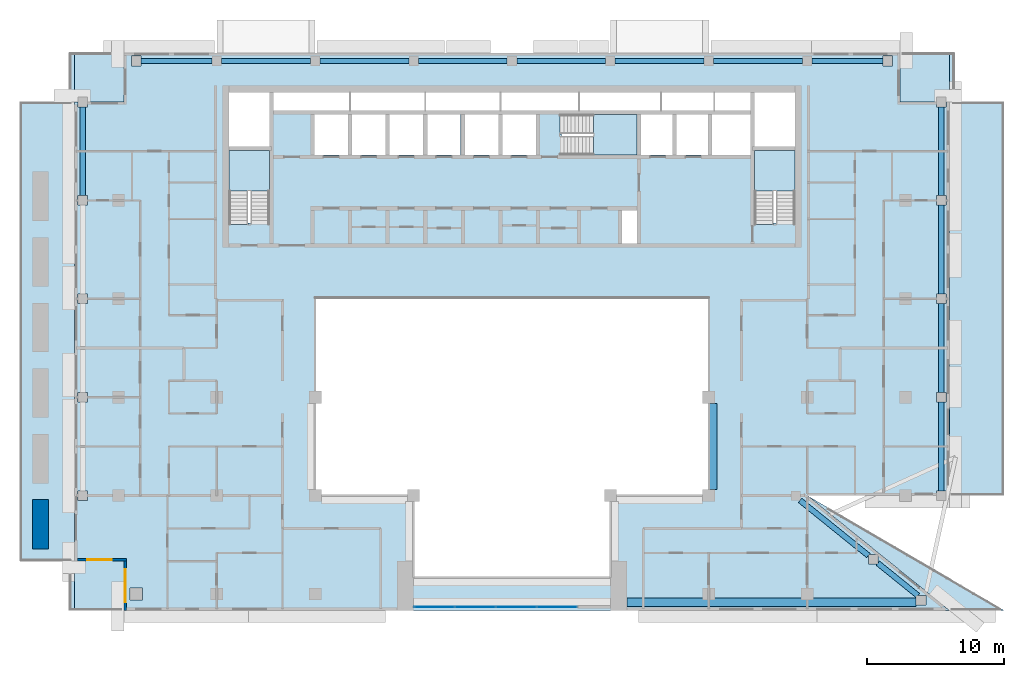
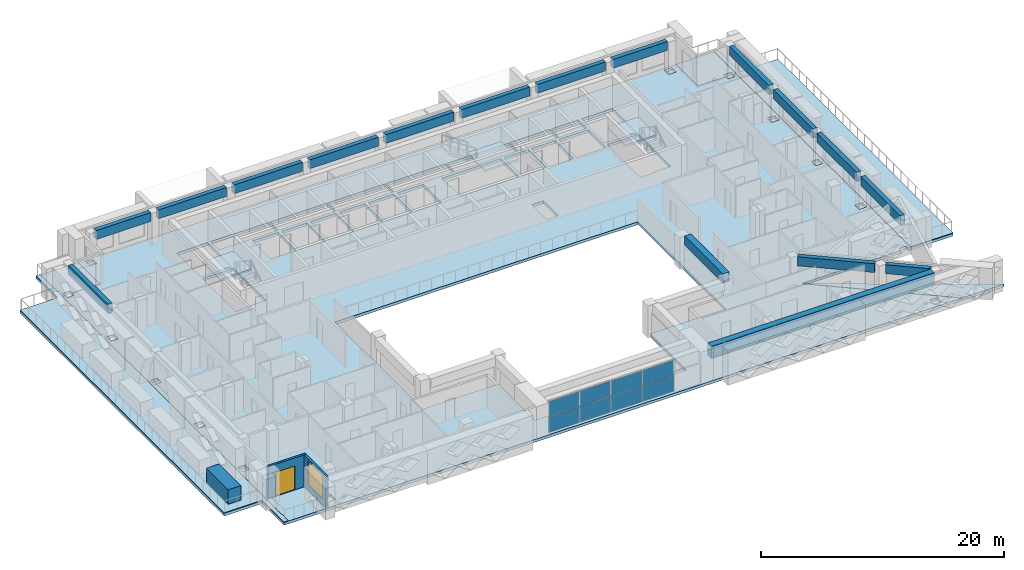
# One storey, part 5 of 19: 17 beams, 9 slabs, 8 plates, 3 walls, 1 door, 1 window, 2 openings, 4 elements without a shape of their own.
"""IFC4 building model written with IfcOpenShell, lengths in metres."""

from ifc_helpers import new_model, si_unit, direction, frame, frame_2d, origin, origin_2d, place, context, subcontext, project, spatial, polyline, rectangle, outline, extrude, source, transform, mapped, material, layer, layer_set, material_profile, profile_set, type_object, element, fill, aggregate, save


model = new_model("IFC4")

# Units and contexts
model_context = context("Model", 3, precision=1e-05, world=origin(), true_north=direction((0.0, 1.0)))
body_context = subcontext(model_context, "Body", "Model", "MODEL_VIEW")
ifc_project = project(units=[si_unit("LENGTHUNIT", "METRE"), si_unit("AREAUNIT", "SQUARE_METRE"), si_unit("VOLUMEUNIT", "CUBIC_METRE"), si_unit("PLANEANGLEUNIT", "RADIAN"), si_unit("MASSUNIT", "GRAM", prefix="KILO")], contexts=[model_context])

# Site, building, storey
site_placement = place(None, origin())
site = spatial("IfcSite", under=ifc_project, at=site_placement, CompositionType="ELEMENT")
building_placement = place(site_placement, origin())
building = spatial("IfcBuilding", under=site, at=building_placement, Name="Saffron Iwan Residences", CompositionType="ELEMENT")
storey_placement = place(building_placement, frame((0.0, 0.0, 211.5)))
storey = spatial("IfcBuildingStorey", under=building, at=storey_placement, Name="L56", CompositionType="ELEMENT", Elevation=211.5)

# Beams
ifc_material_1 = material(Name="Concrete C40/50", Category="concrete")
ifc_material_profile_1 = material_profile(ifc_material_1, rectangle(XDim=0.39990234375, YDim=0.89990234375, at=origin_2d()), Name="RC 400x900")
ifc_profile_set_1 = profile_set([ifc_material_profile_1], Name="Concrete C40/50")
beam_type_1 = type_object("IfcBeamType", Name="SPANDREL BEAM RC 400x900 C40/50 TOP 3220", PredefinedType="SPANDREL", material=ifc_profile_set_1)
shared_shape_1 = source(origin(), body_context, "Body", "SweptSolid", [
    extrude(rectangle(XDim=0.39990234375, YDim=0.89990234375, at=origin_2d()), origin(), (0.0, 0.0, 1.0), 3.767578125),
])
beam_1_placement = place(storey_placement, frame((77.173095703125, 43.050537109375, 2.77001953125), z_axis=(0.777920469401, -0.62836274817, 0.0), x_axis=(0.62836274817, 0.777920469401, 0.0)))
element("IfcBeam", 1, at=beam_1_placement, inside=storey, type_object=beam_type_1, Name="Spandrel beam", PredefinedType="SPANDREL", context=body_context, shape_type="MappedRepresentation", body=[
    mapped(shared_shape_1, transform((0.0, 0.0, 0.0))),
])
shared_shape_2 = source(origin(), body_context, "Body", "SweptSolid", [
    extrude(rectangle(XDim=0.39990234375, YDim=0.89990234375, at=origin_2d()), origin(), (0.0, 0.0, 1.0), 6.419921875),
])
beam_2_placement = place(storey_placement, frame((71.478515625, 47.64990234375, 2.77001953125), z_axis=(0.777940465262, -0.628337992253, 0.0), x_axis=(0.628337992253, 0.777940465262, 0.0)))
element("IfcBeam", 2, at=beam_2_placement, inside=storey, type_object=beam_type_1, Name="Spandrel beam", PredefinedType="SPANDREL", context=body_context, shape_type="MappedRepresentation", body=[
    mapped(shared_shape_2, transform((0.0, 0.0, 0.0))),
])
shared_shape_3 = source(origin(), body_context, "Body", "SweptSolid", [
    extrude(rectangle(XDim=0.39990234375, YDim=0.89990234375, at=origin_2d()), origin(), (0.0, 0.0, 1.0), 6.5),
])
for number, where, z_axis, x_axis, name in (
    (3, (81.800048828125, 54.85009765625, 2.77001953125), (0.0, -1.0, 0.0), (1.0, 0.0, 0.0), "Spandrel beam"),
    (4, (81.800048828125, 62.050048828125, 2.77001953125), (0.0, -1.0, 0.0), (1.0, 0.0, 0.0), "Spandrel beam"),
    (5, (81.800048828125, 69.25, 2.77001953125), (0.0, -1.0, 0.0), (1.0, 0.0, 0.0), "Spandrel beam"),
    (6, (19.0, 69.949951171875, 2.77001953125), (0.0, 1.0, 0.0), (-1.0, 0.0, 0.0), "Spandrel beam"),
    (7, (81.800048828125, 76.449951171875, 2.77001953125), (0.0, -1.0, 0.0), (1.0, 0.0, 0.0), "Spandrel beam"),
    (8, (29.14990234375, 79.800048828125, 2.77001953125), (1.0, 0.0, 0.0), (0.0, 1.0, 0.0), "Spandrel beam"),
    (9, (36.35009765625, 79.800048828125, 2.77001953125), (1.0, 0.0, 0.0), (0.0, 1.0, 0.0), "Spandrel beam"),
    (10, (43.550048828125, 79.800048828125, 2.77001953125), (1.0, 0.0, 0.0), (0.0, 1.0, 0.0), "Spandrel beam"),
    (11, (50.75, 79.800048828125, 2.77001953125), (1.0, 0.0, 0.0), (0.0, 1.0, 0.0), "Spandrel beam"),
    (12, (57.949951171875, 79.800048828125, 2.77001953125), (1.0, 0.0, 0.0), (0.0, 1.0, 0.0), "Spandrel beam"),
    (13, (65.14990234375, 79.800048828125, 2.77001953125), (1.0, 0.0, 0.0), (0.0, 1.0, 0.0), "Spandrel beam"),
):
    element("IfcBeam", number, at=place(storey_placement, frame(where, z_axis=z_axis, x_axis=x_axis)), inside=storey, type_object=beam_type_1, Name=name, PredefinedType="SPANDREL", context=body_context, shape_type="MappedRepresentation", body=[
        mapped(shared_shape_3, transform((0.0, 0.0, 0.0))),
    ])
shared_shape_4 = source(origin(), body_context, "Body", "SweptSolid", [
    extrude(rectangle(XDim=0.39990234375, YDim=0.89990234375, at=origin_2d()), origin(), (0.0, 0.0, 1.0), 5.199951171875),
])
for number, where, z_axis, x_axis, name in (
    (14, (23.25, 79.800048828125, 2.77001953125), (1.0, 0.0, 0.0), (0.0, 1.0, 0.0), "Spandrel beam"),
    (15, (72.35009765625, 79.800048828125, 2.77001953125), (1.0, 0.0, 0.0), (0.0, 1.0, 0.0), "Spandrel beam"),
):
    element("IfcBeam", number, at=place(storey_placement, frame(where, z_axis=z_axis, x_axis=x_axis)), inside=storey, type_object=beam_type_1, Name=name, PredefinedType="SPANDREL", context=body_context, shape_type="MappedRepresentation", body=[
        mapped(shared_shape_4, transform((0.0, 0.0, 0.0))),
    ])
ifc_material_profile_2 = material_profile(ifc_material_1, rectangle(XDim=0.60009765625, YDim=1.199951171875, at=origin_2d()), Name="RC 600x1200")
ifc_profile_set_2 = profile_set([ifc_material_profile_2], Name="Concrete C40/50")
beam_type_2 = type_object("IfcBeamType", Name="LINTEL BEAM RC 600x1200 C40/50 TOP 3220", PredefinedType="LINTEL", material=ifc_profile_set_2)
shared_shape_5 = source(origin(), body_context, "Body", "SweptSolid", [
    extrude(rectangle(XDim=0.60009765625, YDim=1.199951171875, at=origin_2d()), origin(), (0.0, 0.0, 1.0), 21.175537109375),
])
beam_3_placement = place(storey_placement, frame((79.9755859375, 40.199951171875, 2.6201171875), z_axis=(-1.0, 0.0, 0.0), x_axis=(0.0, -1.0, 0.0)))
element("IfcBeam", 16, at=beam_3_placement, inside=storey, type_object=beam_type_2, Name="Lintel beam over the iwan", PredefinedType="LINTEL", context=body_context, shape_type="MappedRepresentation", body=[
    mapped(shared_shape_5, transform((0.0, 0.0, 0.0))),
])
ifc_material_profile_3 = material_profile(ifc_material_1, rectangle(XDim=0.60009765625, YDim=0.89990234375, at=origin_2d()), Name="RC 600x900")
ifc_profile_set_3 = profile_set([ifc_material_profile_3], Name="Concrete C40/50")
beam_type_3 = type_object("IfcBeamType", Name="BEAM RC 600x900 C40/50 TOP 3220", PredefinedType="BEAM", material=ifc_profile_set_3)
shared_shape_6 = source(origin(), body_context, "Body", "SweptSolid", [
    extrude(rectangle(XDim=0.60009765625, YDim=0.89990234375, at=origin_2d()), origin(), (0.0, 0.0, 1.0), 6.300048828125),
])
beam_4_placement = place(storey_placement, frame((65.10009765625, 54.75, 2.77001953125), z_axis=(0.0, -1.0, 0.0), x_axis=(1.0, 0.0, 0.0)))
element("IfcBeam", 17, at=beam_4_placement, inside=storey, type_object=beam_type_3, Name="Atrium edge beam", PredefinedType="BEAM", context=body_context, shape_type="MappedRepresentation", body=[
    mapped(shared_shape_6, transform((0.0, 0.0, 0.0))),
])

# Slabs
ifc_layer_1 = layer(ifc_material_1, 0.280029296875)
ifc_layer_set_1 = layer_set([ifc_layer_1], Name="Concrete C40/50")
slab_type_1 = type_object("IfcSlabType", Name="PT PLATE 280 C40/50", PredefinedType="FLOOR", material=ifc_layer_set_1)
slab_1_placement = place(storey_placement, frame((0.0, 0.0, -0.280029296875)))
element("IfcSlab", 18, at=slab_1_placement, inside=storey, type_object=slab_type_1, Name="Floor slab L56", PredefinedType="FLOOR", context=body_context, shape_type="SweptSolid", body=[
    extrude(outline(polyline([(18.39990234375, 43.199951171875), (18.39990234375, 76.800048828125), (18.64990234375, 76.800048828125), (18.64990234375, 76.449951171875), (19.35009765625, 76.449951171875), (19.35009765625, 76.800048828125), (22.0, 76.800048828125), (22.0, 80.39990234375), (78.800048828125, 80.39990234375), (78.800048828125, 76.800048828125), (81.449951171875, 76.800048828125), (81.449951171875, 76.449951171875), (82.14990234375, 76.449951171875), (82.14990234375, 76.800048828125), (82.39990234375, 76.800048828125), (82.39990234375, 48.0), (82.14990234375, 48.0), (82.14990234375, 48.35009765625), (81.449951171875, 48.35009765625), (81.449951171875, 48.0), (72.0, 48.0), (82.39990234375, 39.60009765625), (22.0, 39.60009765625), (22.0, 43.199951171875), (18.39990234375, 43.199951171875)]), holes=[polyline([(64.800048828125, 48.0), (64.800048828125, 62.39990234375), (36.0, 62.39990234375), (36.0, 48.0), (43.199951171875, 48.0), (43.199951171875, 42.0), (57.60009765625, 42.0), (57.60009765625, 48.0), (64.800048828125, 48.0)]), polyline([(23.35009765625, 40.35009765625), (23.35009765625, 41.25), (22.449951171875, 41.25), (22.449951171875, 40.35009765625), (23.35009765625, 40.35009765625)]), polyline([(19.35009765625, 47.64990234375), (19.35009765625, 48.35009765625), (18.64990234375, 48.35009765625), (18.64990234375, 47.64990234375), (19.35009765625, 47.64990234375)]), polyline([(19.35009765625, 54.85009765625), (19.35009765625, 55.550048828125), (18.64990234375, 55.550048828125), (18.64990234375, 54.85009765625), (19.35009765625, 54.85009765625)]), polyline([(19.35009765625, 62.050048828125), (19.35009765625, 62.75), (18.64990234375, 62.75), (18.64990234375, 62.050048828125), (19.35009765625, 62.050048828125)]), polyline([(19.35009765625, 69.25), (19.35009765625, 69.949951171875), (18.64990234375, 69.949951171875), (18.64990234375, 69.25), (19.35009765625, 69.25)]), polyline([(32.64990234375, 73.25), (29.699951171875, 73.25), (29.699951171875, 67.949951171875), (29.699951171875, 67.8505859375), (31.10009765625, 67.8505859375), (31.10009765625, 67.949951171875), (32.64990234375, 67.949951171875), (32.64990234375, 73.25)]), polyline([(52.14990234375, 72.925048828125), (52.14990234375, 75.875), (49.699951171875, 75.875), (49.699951171875, 72.925048828125), (52.14990234375, 72.925048828125)]), polyline([(35.949951171875, 72.925048828125), (38.39990234375, 72.925048828125), (38.39990234375, 75.875), (35.949951171875, 75.875), (35.949951171875, 72.925048828125)]), polyline([(38.699951171875, 72.925048828125), (41.14990234375, 72.925048828125), (41.14990234375, 75.875), (38.699951171875, 75.875), (38.699951171875, 72.925048828125)]), polyline([(49.39990234375, 72.925048828125), (49.39990234375, 75.875), (46.949951171875, 75.875), (46.949951171875, 72.925048828125), (49.39990234375, 72.925048828125)]), polyline([(43.89990234375, 72.925048828125), (43.89990234375, 75.875), (41.449951171875, 75.875), (41.449951171875, 72.925048828125), (43.89990234375, 72.925048828125)]), polyline([(46.64990234375, 72.925048828125), (46.64990234375, 75.875), (44.199951171875, 75.875), (44.199951171875, 72.925048828125), (46.64990234375, 72.925048828125)]), polyline([(32.64990234375, 73.550048828125), (32.64990234375, 77.5), (29.699951171875, 77.5), (29.699951171875, 73.550048828125), (32.64990234375, 73.550048828125)]), polyline([(55.25, 76.175048828125), (55.25, 77.5), (49.60009765625, 77.5), (49.60009765625, 76.175048828125), (55.25, 76.175048828125)]), polyline([(49.5, 76.175048828125), (49.5, 77.5), (44.10009765625, 77.5), (44.10009765625, 76.175048828125), (49.5, 76.175048828125)]), polyline([(38.60009765625, 76.175048828125), (44.0, 76.175048828125), (44.0, 77.5), (38.60009765625, 77.5), (38.60009765625, 76.175048828125)]), polyline([(32.949951171875, 76.175048828125), (38.5, 76.175048828125), (38.5, 77.5), (32.949951171875, 77.5), (32.949951171875, 76.175048828125)]), polyline([(23.25, 79.449951171875), (23.25, 80.14990234375), (22.550048828125, 80.14990234375), (22.550048828125, 79.449951171875), (23.25, 79.449951171875)]), polyline([(80.67578125, 39.983154296875), (80.67578125, 40.68310546875), (79.9755859375, 40.68310546875), (79.9755859375, 39.983154296875), (80.67578125, 39.983154296875)]), polyline([(77.173095703125, 42.983154296875), (77.173095703125, 43.68310546875), (76.472900390625, 43.68310546875), (76.472900390625, 42.983154296875), (77.173095703125, 42.983154296875)]), polyline([(82.14990234375, 54.85009765625), (82.14990234375, 55.550048828125), (81.449951171875, 55.550048828125), (81.449951171875, 54.85009765625), (82.14990234375, 54.85009765625)]), polyline([(82.14990234375, 62.050048828125), (82.14990234375, 62.75), (81.449951171875, 62.75), (81.449951171875, 62.050048828125), (82.14990234375, 62.050048828125)]), polyline([(59.550048828125, 66.449951171875), (59.550048828125, 68.875), (58.449951171875, 68.875), (58.449951171875, 66.449951171875), (59.550048828125, 66.449951171875)]), polyline([(81.449951171875, 69.25), (82.14990234375, 69.25), (82.14990234375, 69.949951171875), (81.449951171875, 69.949951171875), (81.449951171875, 69.25)]), polyline([(71.10009765625, 67.949951171875), (71.10009765625, 73.25), (68.14990234375, 73.25), (68.14990234375, 67.949951171875), (68.14990234375, 67.8505859375), (69.550048828125, 67.8505859375), (69.550048828125, 67.949951171875), (71.10009765625, 67.949951171875)]), polyline([(53.925537109375, 74.47509765625), (54.02490234375, 74.47509765625), (54.02490234375, 72.925048828125), (59.550048828125, 72.925048828125), (59.550048828125, 75.875), (54.02490234375, 75.875), (53.925537109375, 75.875), (53.925537109375, 74.47509765625)]), polyline([(62.14990234375, 72.925048828125), (62.14990234375, 75.875), (59.85009765625, 75.875), (59.85009765625, 72.925048828125), (62.14990234375, 72.925048828125)]), polyline([(64.75, 72.925048828125), (64.75, 75.875), (62.449951171875, 75.875), (62.449951171875, 72.925048828125), (64.75, 72.925048828125)]), polyline([(65.050048828125, 72.925048828125), (67.85009765625, 72.925048828125), (67.85009765625, 75.875), (65.050048828125, 75.875), (65.050048828125, 72.925048828125)]), polyline([(68.14990234375, 73.550048828125), (71.10009765625, 73.550048828125), (71.10009765625, 77.5), (68.14990234375, 77.5), (68.14990234375, 73.550048828125)]), polyline([(67.85009765625, 76.175048828125), (67.85009765625, 77.5), (65.25, 77.5), (65.25, 76.175048828125), (67.85009765625, 76.175048828125)]), polyline([(65.14990234375, 76.175048828125), (65.14990234375, 77.5), (61.35009765625, 77.5), (61.35009765625, 76.175048828125), (65.14990234375, 76.175048828125)]), polyline([(55.35009765625, 76.175048828125), (61.25, 76.175048828125), (61.25, 77.5), (55.35009765625, 77.5), (55.35009765625, 76.175048828125)]), polyline([(77.550048828125, 79.449951171875), (78.25, 79.449951171875), (78.25, 80.14990234375), (77.550048828125, 80.14990234375), (77.550048828125, 79.449951171875)])]), origin(), (0.0, 0.0, 1.0), 0.280029296875),
])
ifc_layer_2 = layer(ifc_material_1, 0.280029296875)
ifc_layer_set_2 = layer_set([ifc_layer_2], Name="Concrete C40/50")
slab_type_2 = type_object("IfcSlabType", Name="PT TERRACE PLATE 280 C40/50", PredefinedType="FLOOR", material=ifc_layer_set_2)
slab_2_placement = place(storey_placement, frame((0.0, 0.0, -0.280029296875)))
element("IfcSlab", 19, at=slab_2_placement, inside=storey, type_object=slab_type_2, Name="Terrace slab L56", PredefinedType="FLOOR", context=body_context, shape_type="SweptSolid", body=[
    extrude(outline(polyline([(14.39990234375, 76.800048828125), (18.0, 76.800048828125), (18.0, 80.39990234375), (22.0, 80.39990234375), (22.0, 76.800048828125), (19.35009765625, 76.800048828125), (19.35009765625, 77.14990234375), (18.64990234375, 77.14990234375), (18.64990234375, 76.800048828125), (18.39990234375, 76.800048828125), (18.39990234375, 43.199951171875), (22.0, 43.199951171875), (22.0, 39.60009765625), (18.0, 39.60009765625), (18.0, 43.199951171875), (14.39990234375, 43.199951171875), (14.39990234375, 76.800048828125)])), origin(), (0.0, 0.0, 1.0), 0.280029296875),
])
slab_3_placement = place(storey_placement, frame((0.0, 0.0, -0.280029296875)))
element("IfcSlab", 20, at=slab_3_placement, inside=storey, type_object=slab_type_2, Name="Terrace slab L56", PredefinedType="FLOOR", context=body_context, shape_type="SweptSolid", body=[
    extrude(outline(polyline([(86.39990234375, 39.60009765625), (82.407958984375, 39.60009765625), (72.028564453125, 47.9833984375), (86.39990234375, 39.60009765625)])), origin(), (0.0, 0.0, 1.0), 0.280029296875),
])
slab_4_placement = place(storey_placement, frame((0.0, 0.0, -0.280029296875)))
element("IfcSlab", 21, at=slab_4_placement, inside=storey, type_object=slab_type_2, Name="Terrace slab L56", PredefinedType="FLOOR", context=body_context, shape_type="SweptSolid", body=[
    extrude(outline(polyline([(86.39990234375, 48.0), (82.39990234375, 48.0), (82.39990234375, 76.800048828125), (82.14990234375, 76.800048828125), (82.14990234375, 77.14990234375), (81.449951171875, 77.14990234375), (81.449951171875, 76.800048828125), (78.800048828125, 76.800048828125), (78.800048828125, 80.39990234375), (82.800048828125, 80.39990234375), (82.800048828125, 76.800048828125), (86.39990234375, 76.800048828125), (86.39990234375, 48.0)])), origin(), (0.0, 0.0, 1.0), 0.280029296875),
])

# Stair, slab
ifc_material_2 = material(Name="Concrete C50/60", Category="concrete")
stair_type = type_object("IfcStairType", Name="Stair ST-CORE", PredefinedType="HALF_TURN_STAIR", material=ifc_material_2)
stair_1_placement = place(storey_placement, origin())
stair_1 = element("IfcStair", 22, at=stair_1_placement, inside=storey, type_object=stair_type, Name="L56 Exit Stair ST-W", PredefinedType="HALF_TURN_STAIR")
ifc_layer_3 = layer(ifc_material_2, 0.199951171875)
ifc_layer_set_3 = layer_set([ifc_layer_3], Name="Concrete C50/60")
slab_type_3 = type_object("IfcSlabType", Name="Stair landing SL-RC", PredefinedType="LANDING", material=ifc_layer_set_3)
slab_5_placement = place(storey_placement, frame((0.0, 0.0, 1.5498046875)))
slab_5 = element("IfcSlab", 23, at=slab_5_placement, type_object=slab_type_3, Name="ST-W landing 1", PredefinedType="LANDING", context=body_context, shape_type="SweptSolid", body=[
    extrude(outline(polyline([(32.64990234375, 70.280029296875), (32.64990234375, 73.25), (29.699951171875, 73.25), (29.699951171875, 70.280029296875), (32.64990234375, 70.280029296875)])), origin(), (0.0, 0.0, 1.0), 0.2001953125),
])
aggregate(stair_1, [slab_5])

stair_2_placement = place(storey_placement, origin())
stair_2 = element("IfcStair", 24, at=stair_2_placement, inside=storey, type_object=stair_type, Name="L56 Exit Stair ST-C", PredefinedType="HALF_TURN_STAIR")
slab_6_placement = place(storey_placement, frame((0.0, 0.0, 1.5498046875)))
slab_6 = element("IfcSlab", 25, at=slab_6_placement, type_object=slab_type_3, Name="ST-C landing 1", PredefinedType="LANDING", context=body_context, shape_type="SweptSolid", body=[
    extrude(outline(polyline([(56.35498046875, 72.925048828125), (59.550048828125, 72.925048828125), (59.550048828125, 75.875), (56.35498046875, 75.875), (56.35498046875, 72.925048828125)])), origin(), (0.0, 0.0, 1.0), 0.2001953125),
])
aggregate(stair_2, [slab_6])

stair_3_placement = place(storey_placement, origin())
stair_3 = element("IfcStair", 26, at=stair_3_placement, inside=storey, type_object=stair_type, Name="L56 Exit Stair ST-E", PredefinedType="HALF_TURN_STAIR")
slab_7_placement = place(storey_placement, frame((0.0, 0.0, 1.5498046875)))
slab_7 = element("IfcSlab", 27, at=slab_7_placement, type_object=slab_type_3, Name="ST-E landing 1", PredefinedType="LANDING", context=body_context, shape_type="SweptSolid", body=[
    extrude(outline(polyline([(71.10009765625, 70.280029296875), (71.10009765625, 73.25), (68.14990234375, 73.25), (68.14990234375, 70.280029296875), (71.10009765625, 70.280029296875)])), origin(), (0.0, 0.0, 1.0), 0.2001953125),
])
aggregate(stair_3, [slab_7])

# Slabs
ifc_material_3 = material(Name="Stone paving", Category="masonry")
ifc_layer_4 = layer(ifc_material_3, 0.050048828125)
ifc_layer_set_4 = layer_set([ifc_layer_4], Name="Stone paving")
slab_type_4 = type_object("IfcSlabType", Name="TERRACE PAVING 50", PredefinedType="USERDEFINED", material=ifc_layer_set_4)
slab_8_placement = place(storey_placement, origin())
element("IfcSlab", 28, at=slab_8_placement, inside=storey, type_object=slab_type_4, Name="Terrace paving L56 W1", ObjectType="PAVING", PredefinedType="USERDEFINED", context=body_context, shape_type="SweptSolid", body=[
    extrude(outline(polyline([(18.0, 43.199951171875), (18.0, 39.60009765625), (18.39990234375, 39.60009765625), (18.39990234375, 43.199951171875), (18.39990234375, 76.800048828125), (18.39990234375, 80.39990234375), (18.0, 80.39990234375), (18.0, 76.800048828125), (14.39990234375, 76.800048828125), (14.39990234375, 43.199951171875), (18.0, 43.199951171875)])), origin(), (0.0, 0.0, 1.0), 0.050048828125),
])
slab_9_placement = place(storey_placement, origin())
element("IfcSlab", 29, at=slab_9_placement, inside=storey, type_object=slab_type_4, Name="Terrace paving L56 E2", ObjectType="PAVING", PredefinedType="USERDEFINED", context=body_context, shape_type="SweptSolid", body=[
    extrude(outline(polyline([(82.800048828125, 80.39990234375), (82.39990234375, 80.39990234375), (82.39990234375, 76.800048828125), (82.39990234375, 48.0), (86.39990234375, 48.0), (86.39990234375, 76.800048828125), (82.800048828125, 76.800048828125), (82.800048828125, 80.39990234375)])), origin(), (0.0, 0.0, 1.0), 0.050048828125),
])

# Curtain wall, plates
ifc_material_4 = material(Name="Clear glass, laminated double glazed", Category="glass")
ifc_layer_5 = layer(ifc_material_4, 0.199951171875)
ifc_layer_set_5 = layer_set([ifc_layer_5], Name="Clear glass, laminated double glazed")
curtain_wall_type = type_object("IfcCurtainWallType", Name="CW-B IWAN PORTAL", PredefinedType="NOTDEFINED", material=ifc_layer_set_5)
curtain_wall_placement = place(storey_placement, origin())
curtain_wall = element("IfcCurtainWall", 30, at=curtain_wall_placement, inside=storey, type_object=curtain_wall_type, Name="Iwan portal glazing L56.1", PredefinedType="NOTDEFINED")
ifc_layer_6 = layer(ifc_material_4, 0.028076171875)
ifc_layer_set_6 = layer_set([ifc_layer_6], Name="Clear glass, laminated double glazed")
plate_type = type_object("IfcPlateType", Name="CW-B PANEL 28", PredefinedType="CURTAIN_PANEL", material=ifc_layer_set_6)
shared_shape_7 = source(origin(), body_context, "Body", "SweptSolid", [
    extrude(rectangle(XDim=2.909912109375, YDim=0.028076171875, at=origin_2d()), origin(), (0.0, 0.0, 1.0), 1.52001953125),
])
plate_1_placement = place(storey_placement, frame((44.715087890625, 39.85009765625, 0.06005859375), z_axis=(0.0, 0.0, 1.0), x_axis=(1.0, 0.0, 0.0)))
plate_1 = element("IfcPlate", 31, at=plate_1_placement, type_object=plate_type, Name="CW-B panel 1.1", PredefinedType="CURTAIN_PANEL", context=body_context, shape_type="MappedRepresentation", body=[
    mapped(shared_shape_7, transform((0.0, 0.0, 0.0))),
])
plate_2_placement = place(storey_placement, frame((44.715087890625, 39.85009765625, 1.639892578125), z_axis=(0.0, 0.0, 1.0), x_axis=(1.0, 0.0, 0.0)))
plate_2 = element("IfcPlate", 32, at=plate_2_placement, type_object=plate_type, Name="CW-B panel 1.2", PredefinedType="CURTAIN_PANEL", context=body_context, shape_type="MappedRepresentation", body=[
    mapped(shared_shape_7, transform((0.0, 0.0, 0.0))),
])
plate_3_placement = place(storey_placement, frame((53.68505859375, 39.85009765625, 0.06005859375), z_axis=(0.0, 0.0, 1.0), x_axis=(1.0, 0.0, 0.0)))
plate_3 = element("IfcPlate", 33, at=plate_3_placement, type_object=plate_type, Name="CW-B panel 4.1", PredefinedType="CURTAIN_PANEL", context=body_context, shape_type="MappedRepresentation", body=[
    mapped(shared_shape_7, transform((0.0, 0.0, 0.0))),
])
plate_4_placement = place(storey_placement, frame((53.68505859375, 39.85009765625, 1.639892578125), z_axis=(0.0, 0.0, 1.0), x_axis=(1.0, 0.0, 0.0)))
plate_4 = element("IfcPlate", 34, at=plate_4_placement, type_object=plate_type, Name="CW-B panel 4.2", PredefinedType="CURTAIN_PANEL", context=body_context, shape_type="MappedRepresentation", body=[
    mapped(shared_shape_7, transform((0.0, 0.0, 0.0))),
])
shared_shape_8 = source(origin(), body_context, "Body", "SweptSolid", [
    extrude(rectangle(XDim=2.93994140625, YDim=0.028076171875, at=origin_2d()), origin(), (0.0, 0.0, 1.0), 1.52001953125),
])
plate_5_placement = place(storey_placement, frame((47.699951171875, 39.85009765625, 0.06005859375), z_axis=(0.0, 0.0, 1.0), x_axis=(1.0, 0.0, 0.0)))
plate_5 = element("IfcPlate", 35, at=plate_5_placement, type_object=plate_type, Name="CW-B panel 2.1", PredefinedType="CURTAIN_PANEL", context=body_context, shape_type="MappedRepresentation", body=[
    mapped(shared_shape_8, transform((0.0, 0.0, 0.0))),
])
plate_6_placement = place(storey_placement, frame((47.699951171875, 39.85009765625, 1.639892578125), z_axis=(0.0, 0.0, 1.0), x_axis=(1.0, 0.0, 0.0)))
plate_6 = element("IfcPlate", 36, at=plate_6_placement, type_object=plate_type, Name="CW-B panel 2.2", PredefinedType="CURTAIN_PANEL", context=body_context, shape_type="MappedRepresentation", body=[
    mapped(shared_shape_8, transform((0.0, 0.0, 0.0))),
])
plate_7_placement = place(storey_placement, frame((50.699951171875, 39.85009765625, 0.06005859375), z_axis=(0.0, 0.0, 1.0), x_axis=(1.0, 0.0, 0.0)))
plate_7 = element("IfcPlate", 37, at=plate_7_placement, type_object=plate_type, Name="CW-B panel 3.1", PredefinedType="CURTAIN_PANEL", context=body_context, shape_type="MappedRepresentation", body=[
    mapped(shared_shape_8, transform((0.0, 0.0, 0.0))),
])
plate_8_placement = place(storey_placement, frame((50.699951171875, 39.85009765625, 1.639892578125), z_axis=(0.0, 0.0, 1.0), x_axis=(1.0, 0.0, 0.0)))
plate_8 = element("IfcPlate", 38, at=plate_8_placement, type_object=plate_type, Name="CW-B panel 3.2", PredefinedType="CURTAIN_PANEL", context=body_context, shape_type="MappedRepresentation", body=[
    mapped(shared_shape_8, transform((0.0, 0.0, 0.0))),
])
aggregate(curtain_wall, [plate_1, plate_2, plate_5, plate_6, plate_7, plate_8, plate_3, plate_4])

# Wall, opening, door
ifc_layer_7 = layer(ifc_material_1, 0.199951171875)
ifc_layer_set_7 = layer_set([ifc_layer_7], Name="Concrete C40/50")
wall_type_1 = type_object("IfcWallType", Name="EXTERNAL WALL 200", PredefinedType="SOLIDWALL", material=ifc_layer_set_7)
wall_1_placement = place(storey_placement, frame((18.60009765625, 43.300048828125, 0.0), z_axis=(0.0, 0.0, 1.0), x_axis=(1.0, 0.0, 0.0)))
wall_1 = element("IfcWall", 39, at=wall_1_placement, inside=storey, type_object=wall_type_1, Name="External wall L56 F9.0", PredefinedType="SOLIDWALL", context=body_context, shape_type="SweptSolid", body=[
    extrude(rectangle(XDim=3.599853515625, YDim=0.199951171875, at=frame_2d((1.7998046875, 0.0))), origin(), (0.0, 0.0, 1.0), 3.219970703125),
])
opening_1_placement = place(wall_1_placement, frame((0.72509765625, 0.0, 0.0)))
opening_1 = element("IfcOpeningElement", 40, at=opening_1_placement, cuts=wall_1, Name="Opening BD1", PredefinedType="OPENING", context=body_context, shape_type="SweptSolid", body=[
    extrude(rectangle(XDim=1.800048828125, YDim=2.39990234375, at=frame_2d((0.89990234375, 1.199951171875))), frame((0.0, 0.10986328125, 0.0), z_axis=(0.0, -1.0, 0.0), x_axis=(1.0, 0.0, 0.0)), (0.0, 0.0, 1.0), 0.219970703125),
])
door_type = type_object("IfcDoorType", Name="BALCONY DOOR 1800 x 2400", OperationType="DOUBLE_DOOR_SLIDING", PredefinedType="DOOR", material=ifc_material_4)
door_placement = place(opening_1_placement, origin())
door = element("IfcDoor", 41, at=door_placement, inside=storey, type_object=door_type, Name="Balcony door L56 F9.0", OperationType="DOUBLE_DOOR_SLIDING", OverallHeight=2.39990234375, OverallWidth=1.800048828125, PredefinedType="DOOR", context=body_context, shape_type="SweptSolid", body=[
    extrude(rectangle(XDim=1.800048828125, YDim=2.39990234375, at=frame_2d((0.89990234375, 1.199951171875))), frame((0.0, 0.02490234375, 0.0), z_axis=(0.0, -1.0, 0.0), x_axis=(1.0, 0.0, 0.0)), (0.0, 0.0, 1.0), 0.050048828125),
])
fill(opening_1, door)

# Wall, opening, window
wall_2_placement = place(storey_placement, frame((22.10009765625, 43.199951171875, 0.0), z_axis=(0.0, 0.0, 1.0), x_axis=(0.0, -1.0, 0.0)))
wall_2 = element("IfcWall", 42, at=wall_2_placement, inside=storey, type_object=wall_type_1, Name="External wall L56 F10.0", PredefinedType="SOLIDWALL", context=body_context, shape_type="SweptSolid", body=[
    extrude(rectangle(XDim=3.599853515625, YDim=0.199951171875, at=frame_2d((1.7998046875, 0.0))), origin(), (0.0, 0.0, 1.0), 3.219970703125),
])
opening_2_placement = place(wall_2_placement, frame((0.60009765625, 0.0, 0.60009765625)))
opening_2 = element("IfcOpeningElement", 43, at=opening_2_placement, cuts=wall_2, Name="Opening W1", PredefinedType="OPENING", context=body_context, shape_type="SweptSolid", body=[
    extrude(rectangle(XDim=2.39990234375, YDim=2.39990234375, at=frame_2d((1.199951171875, 1.199951171875))), frame((0.0, 0.10986328125, 0.0), z_axis=(0.0, -1.0, 0.0), x_axis=(1.0, 0.0, 0.0)), (0.0, 0.0, 1.0), 0.219970703125),
])
window_type = type_object("IfcWindowType", Name="WINDOW 2400 x 2400", PartitioningType="DOUBLE_PANEL_VERTICAL", PredefinedType="WINDOW", material=ifc_material_4)
window_placement = place(opening_2_placement, origin())
window = element("IfcWindow", 44, at=window_placement, inside=storey, type_object=window_type, Name="Window L56 F10.0", OverallHeight=2.39990234375, OverallWidth=2.39990234375, PartitioningType="DOUBLE_PANEL_VERTICAL", PredefinedType="WINDOW", context=body_context, shape_type="SweptSolid", body=[
    extrude(rectangle(XDim=2.39990234375, YDim=2.39990234375, at=frame_2d((1.199951171875, 1.199951171875))), frame((0.0, 0.030029296875, 0.0), z_axis=(0.0, -1.0, 0.0), x_axis=(1.0, 0.0, 0.0)), (0.0, 0.0, 1.0), 0.06005859375),
])
fill(opening_2, window)

# Wall
ifc_layer_8 = layer(ifc_material_1, 1.199951171875)
ifc_layer_set_8 = layer_set([ifc_layer_8], Name="Concrete C40/50")
wall_type_2 = type_object("IfcWallType", Name="SKY GARDEN PLANTER 1200", PredefinedType="STANDARD", material=ifc_layer_set_8)
wall_3_placement = place(storey_placement, frame((15.89990234375, 44.10009765625, 0.0), z_axis=(0.0, 0.0, 1.0), x_axis=(0.0, 1.0, 0.0)))
element("IfcWall", 45, at=wall_3_placement, inside=storey, type_object=wall_type_2, Name="PLANTER terrace 14", PredefinedType="STANDARD", context=body_context, shape_type="SweptSolid", body=[
    extrude(rectangle(XDim=3.599853515625, YDim=1.199951171875, at=frame_2d((1.7998046875, 0.0))), origin(), (0.0, 0.0, 1.0), 1.5),
])

save(model, "model.ifc")
